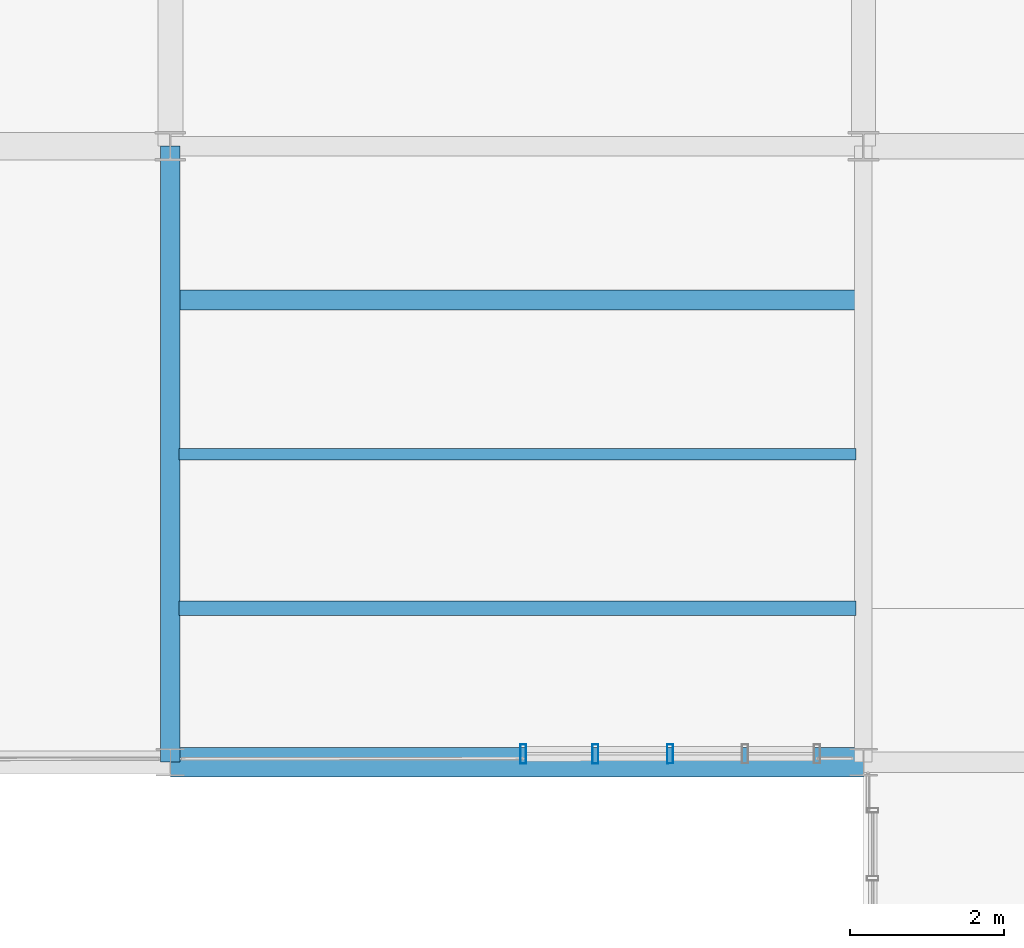
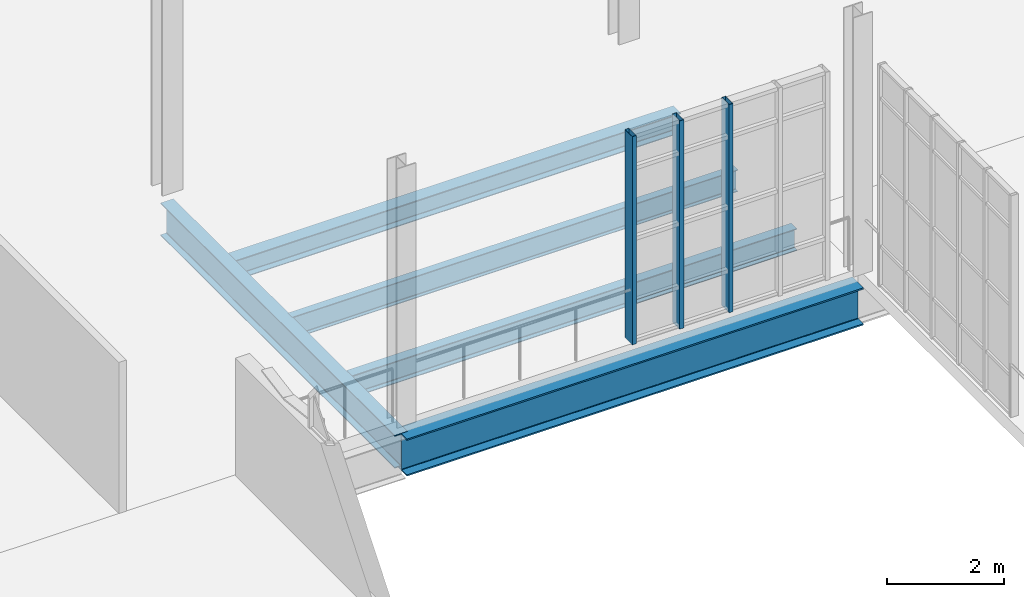
# One storey, part 49 of 142: 5 beams, 3 members, 1 element without a shape of its own.
"""IFC4 building model written with IfcOpenShell, lengths in metres."""

from ifc_helpers import new_model, si_unit, direction, frame, origin, origin_2d, place, context, subcontext, project, spatial, hollow_rectangle, i_section, extrude, material, layer, layer_set, material_profile, profile_set, type_object, element, aggregate, save


model = new_model("IFC4")

# Units and contexts
model_context = context("Model", 3, precision=1e-05, world=origin(), true_north=direction((0.0, 1.0)))
body_context = subcontext(model_context, "Body", "Model", "MODEL_VIEW")
ifc_project = project(units=[si_unit("LENGTHUNIT", "METRE"), si_unit("AREAUNIT", "SQUARE_METRE"), si_unit("VOLUMEUNIT", "CUBIC_METRE"), si_unit("PLANEANGLEUNIT", "RADIAN"), si_unit("MASSUNIT", "GRAM", prefix="KILO"), si_unit("THERMODYNAMICTEMPERATUREUNIT", "KELVIN"), si_unit("POWERUNIT", "WATT")], contexts=[model_context])

# Site, building, storey
site_placement = place(None, origin())
site = spatial("IfcSite", under=ifc_project, at=site_placement, CompositionType="ELEMENT")
building_placement = place(site_placement, origin())
building = spatial("IfcBuilding", under=site, at=building_placement, Name="Zelmaris Science Centre", CompositionType="ELEMENT")
storey_placement = place(building_placement, frame((0.0, 0.0, 5.39990234375)))
storey = spatial("IfcBuildingStorey", under=building, at=storey_placement, Name="L01", CompositionType="ELEMENT", Elevation=5.39990234375)

# Curtain wall, members
ifc_material_1 = material(Name="Anodised architectural aluminium 6063-T6", Category="aluminium")
ifc_layer = layer(ifc_material_1, 0.18994140625, Name="Anodised architectural aluminium 6063-T6")
ifc_layer_set = layer_set([ifc_layer], Name="Anodised architectural aluminium 6063-T6")
curtain_wall_type = type_object("IfcCurtainWallType", Name="Curtain Wall CW-01", PredefinedType="USERDEFINED", material=ifc_layer_set)
curtain_wall_placement = place(storey_placement, origin())
curtain_wall = element("IfcCurtainWall", 1, at=curtain_wall_placement, inside=storey, type_object=curtain_wall_type, Name="L01 Unitised curtain wall 189", ObjectType="GLAZED CURTAIN WALL", PredefinedType="USERDEFINED")
ifc_material_profile_1 = material_profile(ifc_material_1, hollow_rectangle(XDim=0.080078125, YDim=0.25, WallThickness=0.0048828125, at=origin_2d()), Name="ALU-MUL-80X250")
ifc_profile_set_1 = profile_set([ifc_material_profile_1], Name="Anodised architectural aluminium 6063-T6")
member_type = type_object("IfcMemberType", Name="ALU-MUL-80X250", PredefinedType="MULLION", material=ifc_profile_set_1)
member_1_placement = place(storey_placement, frame((96.489990234375, 64.1083984375, -0.014892578125), z_axis=(0.0, 0.0, 1.0), x_axis=(-0.999999804795, -0.000624827832, 0.0)))
member_1 = element("IfcMember", 2, at=member_1_placement, type_object=member_type, Name="CW-01 mullion 3", PredefinedType="MULLION", context=body_context, shape_type="SweptSolid", body=[
    extrude(hollow_rectangle(XDim=0.080078125, YDim=0.25, WallThickness=0.0048828125, at=origin_2d()), origin(), (0.0, 0.0, 1.0), 4.340087890625),
])
member_2_placement = place(storey_placement, frame((95.518310546875, 64.107666015625, -0.014892578125), z_axis=(0.0, 0.0, 1.0), x_axis=(-0.999999804795, -0.000624827832, 0.0)))
member_2 = element("IfcMember", 3, at=member_2_placement, type_object=member_type, Name="CW-01 mullion 4", PredefinedType="MULLION", context=body_context, shape_type="SweptSolid", body=[
    extrude(hollow_rectangle(XDim=0.080078125, YDim=0.25, WallThickness=0.0048828125, at=origin_2d()), origin(), (0.0, 0.0, 1.0), 4.340087890625),
])
member_3_placement = place(storey_placement, frame((94.58251953125, 64.107177734375, -0.014892578125), z_axis=(0.0, 0.0, 1.0), x_axis=(-0.999999804795, -0.000624827832, 0.0)))
member_3 = element("IfcMember", 4, at=member_3_placement, type_object=member_type, Name="CW-01 mullion 5", PredefinedType="MULLION", context=body_context, shape_type="SweptSolid", body=[
    extrude(hollow_rectangle(XDim=0.080078125, YDim=0.25, WallThickness=0.0048828125, at=origin_2d()), origin(), (0.0, 0.0, 1.0), 4.340087890625),
])
aggregate(curtain_wall, [member_1, member_2, member_3])

# Beams
ifc_material_2 = material(Name="Steel ASTM A992 Grade 50", Category="steel")
ifc_material_profile_2 = material_profile(ifc_material_2, i_section(OverallWidth=0.25390625, OverallDepth=0.68310546875, WebThickness=0.012451171875, FlangeThickness=0.018798828125, FilletRadius=0.01806640625, at=origin_2d()), Name="W27X94")
ifc_profile_set_2 = profile_set([ifc_material_profile_2], Name="Steel ASTM A992 Grade 50")
beam_type_1 = type_object("IfcBeamType", Name="Beam G-13 W27X94", PredefinedType="BEAM", material=ifc_profile_set_2)
beam_1_placement = place(storey_placement, frame((90.0, 64.0, -0.621337890625), z_axis=(0.0, 1.0, 0.0), x_axis=(-1.0, 0.0, 0.0)))
element("IfcBeam", 5, at=beam_1_placement, inside=storey, type_object=beam_type_1, Name="L01 North-south girder 286", PredefinedType="BEAM", context=body_context, shape_type="SweptSolid", body=[
    extrude(i_section(OverallWidth=0.25390625, OverallDepth=0.68310546875, WebThickness=0.012451171875, FlangeThickness=0.018798828125, FilletRadius=0.01806640625, at=origin_2d()), origin(), (0.0, 0.0, 1.0), 8.0),
])
ifc_material_profile_3 = material_profile(ifc_material_2, i_section(OverallWidth=0.381103515625, OverallDepth=0.777099609375, WebThickness=0.01806640625, FlangeThickness=0.030029296875, FilletRadius=0.01904296875, at=origin_2d()), Name="W30X191")
ifc_profile_set_3 = profile_set([ifc_material_profile_3], Name="Steel ASTM A992 Grade 50")
beam_type_2 = type_object("IfcBeamType", Name="Beam G-31 W30X191", PredefinedType="BEAM", material=ifc_profile_set_3)
beam_2_placement = place(storey_placement, frame((90.0, 64.0, -0.66845703125), z_axis=(1.0, 0.0, 0.0), x_axis=(0.0, 1.0, 0.0)))
element("IfcBeam", 6, at=beam_2_placement, inside=storey, type_object=beam_type_2, Name="L01 East-west girder 392", PredefinedType="BEAM", context=body_context, shape_type="SweptSolid", body=[
    extrude(i_section(OverallWidth=0.381103515625, OverallDepth=0.777099609375, WebThickness=0.01806640625, FlangeThickness=0.030029296875, FilletRadius=0.01904296875, at=origin_2d()), origin(), (0.0, 0.0, 1.0), 9.0),
])
ifc_material_profile_4 = material_profile(ifc_material_2, i_section(OverallWidth=0.19091796875, OverallDepth=0.4599609375, WebThickness=0.010009765625, FlangeThickness=0.01611328125, FilletRadius=0.012939453125, at=origin_2d()), Name="W18X55")
ifc_profile_set_4 = profile_set([ifc_material_profile_4], Name="Steel ASTM A992 Grade 50")
beam_type_3 = type_object("IfcBeamType", Name="Beam J-04 W18X55", PredefinedType="JOIST", material=ifc_profile_set_4)
beam_3_placement = place(storey_placement, frame((90.112060546875, 66.0, -0.510009765625), z_axis=(1.0, 0.0, 0.0), x_axis=(0.0, 1.0, 0.0)))
element("IfcBeam", 7, at=beam_3_placement, inside=storey, type_object=beam_type_3, Name="L01 Composite floor joist 156", PredefinedType="JOIST", context=body_context, shape_type="SweptSolid", body=[
    extrude(i_section(OverallWidth=0.19091796875, OverallDepth=0.4599609375, WebThickness=0.010009765625, FlangeThickness=0.01611328125, FilletRadius=0.012939453125, at=origin_2d()), origin(), (0.0, 0.0, 1.0), 8.788330078125),
])
ifc_material_profile_5 = material_profile(ifc_material_2, i_section(OverallWidth=0.152099609375, OverallDepth=0.455078125, WebThickness=0.008056640625, FlangeThickness=0.01318359375, FilletRadius=0.012939453125, at=origin_2d()), Name="W18X40")
ifc_profile_set_5 = profile_set([ifc_material_profile_5], Name="Steel ASTM A992 Grade 50")
beam_type_4 = type_object("IfcBeamType", Name="Beam J-05 W18X40", PredefinedType="JOIST", material=ifc_profile_set_5)
beam_4_placement = place(storey_placement, frame((90.112060546875, 68.0, -0.50732421875), z_axis=(1.0, 0.0, 0.0), x_axis=(0.0, 1.0, 0.0)))
element("IfcBeam", 8, at=beam_4_placement, inside=storey, type_object=beam_type_4, Name="L01 Composite floor joist 157", PredefinedType="JOIST", context=body_context, shape_type="SweptSolid", body=[
    extrude(i_section(OverallWidth=0.152099609375, OverallDepth=0.455078125, WebThickness=0.008056640625, FlangeThickness=0.01318359375, FilletRadius=0.012939453125, at=origin_2d()), origin(), (0.0, 0.0, 1.0), 8.788330078125),
])
ifc_material_profile_6 = material_profile(ifc_material_2, i_section(OverallWidth=0.260009765625, OverallDepth=0.4140625, WebThickness=0.010009765625, FlangeThickness=0.016845703125, FilletRadius=0.011962890625, at=origin_2d()), Name="W16X67")
ifc_profile_set_6 = profile_set([ifc_material_profile_6], Name="Steel ASTM A992 Grade 50")
beam_type_5 = type_object("IfcBeamType", Name="Beam J-06 W16X67", PredefinedType="JOIST", material=ifc_profile_set_6)
beam_5_placement = place(storey_placement, frame((90.112060546875, 70.0, -0.48681640625), z_axis=(1.0, 0.0, 0.0), x_axis=(0.0, 1.0, 0.0)))
element("IfcBeam", 9, at=beam_5_placement, inside=storey, type_object=beam_type_5, Name="L01 Composite floor joist 158", PredefinedType="JOIST", context=body_context, shape_type="SweptSolid", body=[
    extrude(i_section(OverallWidth=0.260009765625, OverallDepth=0.4140625, WebThickness=0.010009765625, FlangeThickness=0.016845703125, FilletRadius=0.011962890625, at=origin_2d()), origin(), (0.0, 0.0, 1.0), 8.788330078125),
])

save(model, "model.ifc")
